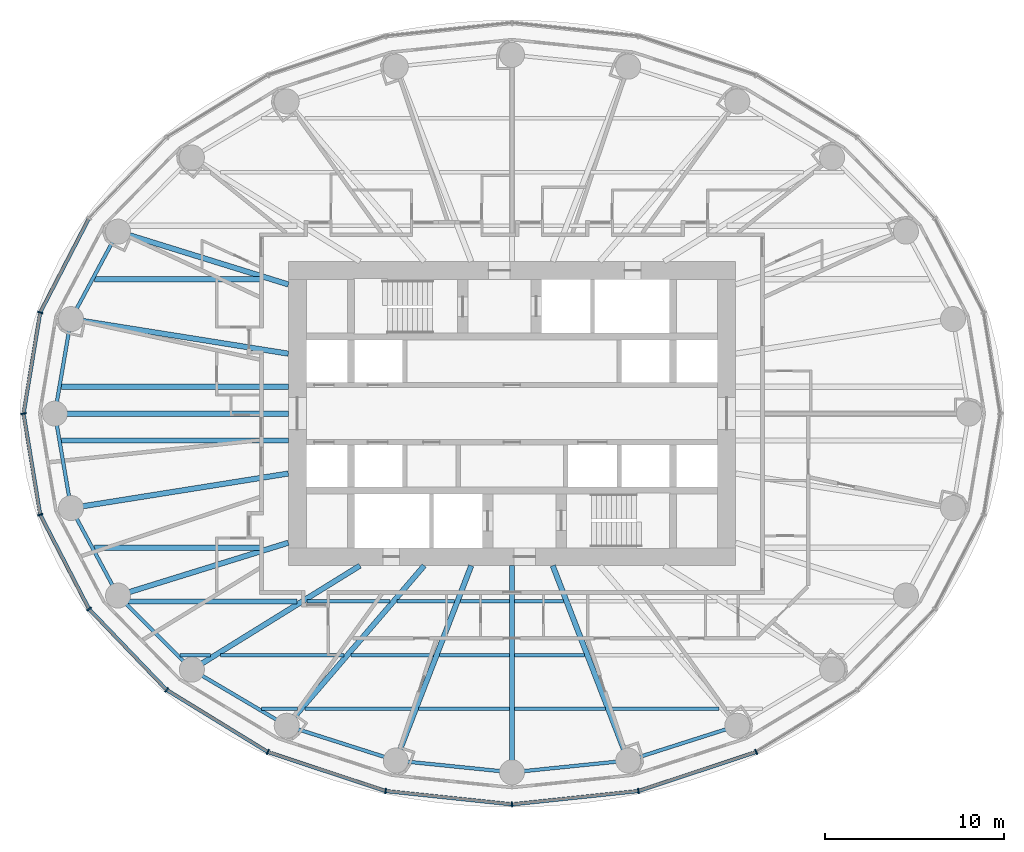
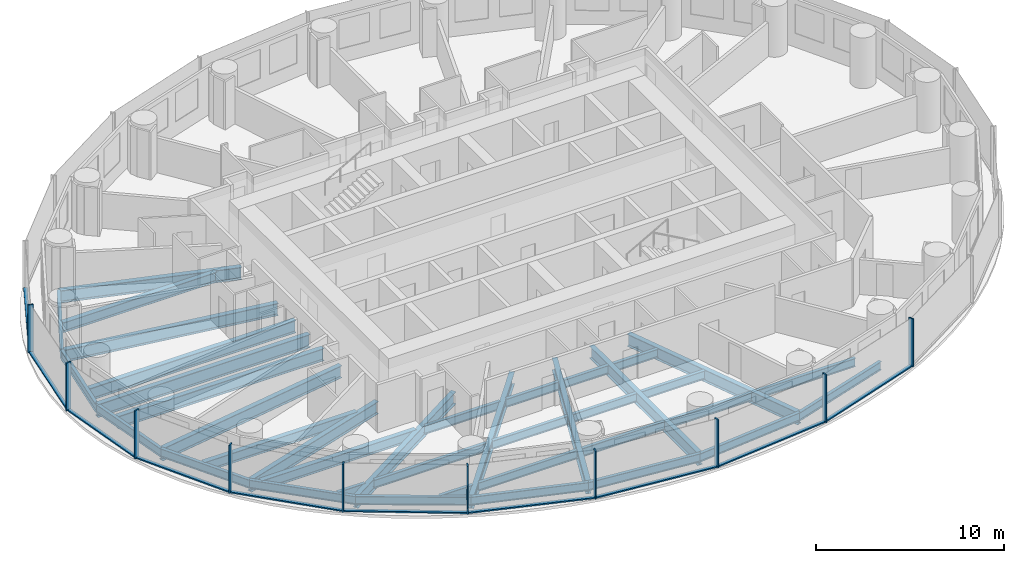
# One storey, part 2 of 14: 39 beams, 20 members, 3 elements without a shape of their own.
"""IFC4 building model written with IfcOpenShell, lengths in metres."""

from ifc_helpers import new_model, si_unit, direction, frame, origin, origin_2d, place, context, subcontext, project, spatial, rectangle, i_section, extrude, material, material_profile, profile_set, type_object, element, aggregate, save


model = new_model("IFC4")

# Units and contexts
model_context = context("Model", 3, precision=1e-05, world=origin(), true_north=direction((0.0, 1.0)))
body_context = subcontext(model_context, "Body", "Model", "MODEL_VIEW")
ifc_project = project(units=[si_unit("LENGTHUNIT", "METRE"), si_unit("AREAUNIT", "SQUARE_METRE"), si_unit("VOLUMEUNIT", "CUBIC_METRE"), si_unit("PLANEANGLEUNIT", "RADIAN"), si_unit("MASSUNIT", "GRAM", prefix="KILO")], contexts=[model_context])

# Site, building, storey
site_placement = place(None, origin())
site = spatial("IfcSite", under=ifc_project, at=site_placement, CompositionType="ELEMENT")
building_placement = place(site_placement, origin())
building = spatial("IfcBuilding", under=site, at=building_placement, Name="Hankou Lantern Tower", CompositionType="ELEMENT")
storey_placement = place(building_placement, frame((0.0, 0.0, 87.0)))
storey = spatial("IfcBuildingStorey", under=building, at=storey_placement, Name="L22", CompositionType="ELEMENT", Elevation=87.0)

# Beams
ifc_material_1 = material(Name="Steel Q355B", Category="steel")
ifc_material_profile_1 = material_profile(ifc_material_1, i_section(OverallWidth=0.199951171875, OverallDepth=0.550048828125, WebThickness=0.010009765625, FlangeThickness=0.01611328125, FilletRadius=0.012939453125, at=origin_2d()), Name="HN550x200x10x16")
ifc_profile_set_1 = profile_set([ifc_material_profile_1], Name="Steel Q355B")
beam_type_1 = type_object("IfcBeamType", Name="EB6 RING BEAM HN550x200x10x16", PredefinedType="SPANDREL", material=ifc_profile_set_1)
beam_1_placement = place(storey_placement, frame((-22.01904296875, 10.170166015625, -0.455078125), z_axis=(-0.473609096023, -0.880735161194, 0.0), x_axis=(0.880735161194, -0.473609096023, 0.0)))
element("IfcBeam", 1, at=beam_1_placement, inside=storey, type_object=beam_type_1, Name="Ring beam R11-R12 L22", PredefinedType="SPANDREL", context=body_context, shape_type="SweptSolid", body=[
    extrude(i_section(OverallWidth=0.199951171875, OverallDepth=0.550048828125, WebThickness=0.010009765625, FlangeThickness=0.01611328125, FilletRadius=0.012939453125, at=origin_2d()), origin(), (0.0, 0.0, 1.0), 5.548828125),
])
for number, where, z_axis, x_axis, name in (
    (2, (-24.64697265625, 5.283203125, -0.455078125), (-0.168489691988, -0.985703415685, 0.0), (0.985703415685, -0.168489691988, 0.0), "Ring beam R12-R13 L22"),
    (3, (-25.550048828125, 0.0, -0.455078125), (0.168489691988, -0.985703415685, 0.0), (0.985703415685, 0.168489691988, 0.0), "Ring beam R13-R14 L22"),
):
    element("IfcBeam", number, at=place(storey_placement, frame(where, z_axis=z_axis, x_axis=x_axis)), inside=storey, type_object=beam_type_1, Name=name, PredefinedType="SPANDREL", context=body_context, shape_type="SweptSolid", body=[
        extrude(i_section(OverallWidth=0.199951171875, OverallDepth=0.550048828125, WebThickness=0.010009765625, FlangeThickness=0.01611328125, FilletRadius=0.012939453125, at=origin_2d()), origin(), (0.0, 0.0, 1.0), 5.35986328125),
    ])
beam_2_placement = place(storey_placement, frame((-24.64697265625, -5.283203125, -0.455078125), z_axis=(0.473609096023, -0.880735161194, 0.0), x_axis=(0.880735161194, 0.473609096023, 0.0)))
element("IfcBeam", 4, at=beam_2_placement, inside=storey, type_object=beam_type_1, Name="Ring beam R14-R15 L22", PredefinedType="SPANDREL", context=body_context, shape_type="SweptSolid", body=[
    extrude(i_section(OverallWidth=0.199951171875, OverallDepth=0.550048828125, WebThickness=0.010009765625, FlangeThickness=0.01611328125, FilletRadius=0.012939453125, at=origin_2d()), origin(), (0.0, 0.0, 1.0), 5.548828125),
])
beam_3_placement = place(storey_placement, frame((-22.01904296875, -10.170166015625, -0.455078125), z_axis=(0.705727798394, -0.708483079949, 0.0), x_axis=(0.708483079949, 0.705727798394, 0.0)))
element("IfcBeam", 5, at=beam_3_placement, inside=storey, type_object=beam_type_1, Name="Ring beam R15-R16 L22", PredefinedType="SPANDREL", context=body_context, shape_type="SweptSolid", body=[
    extrude(i_section(OverallWidth=0.199951171875, OverallDepth=0.550048828125, WebThickness=0.010009765625, FlangeThickness=0.01611328125, FilletRadius=0.012939453125, at=origin_2d()), origin(), (0.0, 0.0, 1.0), 5.84814453125),
])
beam_4_placement = place(storey_placement, frame((-17.891845703125, -14.3134765625, -0.455078125), z_axis=(0.860881533543, -0.508805449268, 0.0), x_axis=(0.508805449268, 0.860881533543, 0.0)))
element("IfcBeam", 6, at=beam_4_placement, inside=storey, type_object=beam_type_1, Name="Ring beam R16-R17 L22", PredefinedType="SPANDREL", context=body_context, shape_type="SweptSolid", body=[
    extrude(i_section(OverallWidth=0.199951171875, OverallDepth=0.550048828125, WebThickness=0.010009765625, FlangeThickness=0.01611328125, FilletRadius=0.012939453125, at=origin_2d()), origin(), (0.0, 0.0, 1.0), 6.15771484375),
])
beam_5_placement = place(storey_placement, frame((-12.5908203125, -17.446533203125, -0.455078125), z_axis=(0.952690479428, -0.303942182671, 0.0), x_axis=(0.303942182671, 0.952690479428, 0.0)))
element("IfcBeam", 7, at=beam_5_placement, inside=storey, type_object=beam_type_1, Name="Ring beam R17-R18 L22", PredefinedType="SPANDREL", context=body_context, shape_type="SweptSolid", body=[
    extrude(i_section(OverallWidth=0.199951171875, OverallDepth=0.550048828125, WebThickness=0.010009765625, FlangeThickness=0.01611328125, FilletRadius=0.012939453125, at=origin_2d()), origin(), (0.0, 0.0, 1.0), 6.398681640625),
])
for number, where, z_axis, x_axis, name in (
    (8, (-6.494873046875, -19.391357421875, -0.455078125), (0.994896616842, -0.100899562915, 0.0), (0.100899562915, 0.994896616842, 0.0), "Ring beam R18-R19 L22"),
    (9, (0.0, -20.050048828125, -0.455078125), (0.994896616842, 0.100899562915, 0.0), (-0.100899562915, 0.994896616842, 0.0), "Ring beam R19-R20 L22"),
):
    element("IfcBeam", number, at=place(storey_placement, frame(where, z_axis=z_axis, x_axis=x_axis)), inside=storey, type_object=beam_type_1, Name=name, PredefinedType="SPANDREL", context=body_context, shape_type="SweptSolid", body=[
        extrude(i_section(OverallWidth=0.199951171875, OverallDepth=0.550048828125, WebThickness=0.010009765625, FlangeThickness=0.01611328125, FilletRadius=0.012939453125, at=origin_2d()), origin(), (0.0, 0.0, 1.0), 6.528076171875),
    ])
beam_6_placement = place(storey_placement, frame((6.494873046875, -19.391357421875, -0.455078125), z_axis=(0.952690479428, 0.303942182671, 0.0), x_axis=(-0.303942182671, 0.952690479428, 0.0)))
element("IfcBeam", 10, at=beam_6_placement, inside=storey, type_object=beam_type_1, Name="Ring beam R20-R21 L22", PredefinedType="SPANDREL", context=body_context, shape_type="SweptSolid", body=[
    extrude(i_section(OverallWidth=0.199951171875, OverallDepth=0.550048828125, WebThickness=0.010009765625, FlangeThickness=0.01611328125, FilletRadius=0.012939453125, at=origin_2d()), origin(), (0.0, 0.0, 1.0), 6.398681640625),
])

# Curtain wall, member
ifc_material_2 = material(Name="Glass, dark grey tinted laminated", Category="glass")
curtain_wall_type = type_object("IfcCurtainWallType", Name="CWA OUTER SKIN LOW-RISE", PredefinedType="USERDEFINED", material=ifc_material_2)
curtain_wall_1_placement = place(storey_placement, origin())
curtain_wall_1 = element("IfcCurtainWall", 11, at=curtain_wall_1_placement, inside=storey, type_object=curtain_wall_type, Name="CWA L22 OS2", ObjectType="OUTER SKIN LOW-RISE", PredefinedType="USERDEFINED")
ifc_material_3 = material(Name="Aluminium, black anodised", Category="aluminium")
ifc_material_profile_2 = material_profile(ifc_material_3, rectangle(XDim=0.080078125, YDim=0.300048828125, at=origin_2d()), Name="MU1 80X300")
ifc_profile_set_2 = profile_set([ifc_material_profile_2], Name="Aluminium, black anodised")
member_type_1 = type_object("IfcMemberType", Name="MU1 OUTER SKIN MULLION 80X300", PredefinedType="MULLION", material=ifc_profile_set_2)
member_1_placement = place(storey_placement, frame((-26.369873046875, 5.652587890625, 0.0), z_axis=(0.0, 0.0, 1.0), x_axis=(-0.317595577365, -0.94822626479, 0.0)))
member_1 = element("IfcMember", 12, at=member_1_placement, type_object=member_type_1, Name="CWA mullion 6", PredefinedType="MULLION", context=body_context, shape_type="SweptSolid", body=[
    extrude(rectangle(XDim=0.080078125, YDim=0.300048828125, at=origin_2d()), origin(), (0.0, 0.0, 1.0), 3.1201171875),
])

# Curtain wall, members
curtain_wall_2_placement = place(storey_placement, origin())
curtain_wall_2 = element("IfcCurtainWall", 13, at=curtain_wall_2_placement, inside=storey, type_object=curtain_wall_type, Name="CWA L22 OS3", ObjectType="OUTER SKIN LOW-RISE", PredefinedType="USERDEFINED")
member_2_placement = place(storey_placement, frame((-27.300048828125, 0.0, 0.0), z_axis=(0.0, 0.0, 1.0), x_axis=(0.162381515188, -0.986728049427, 0.0)))
member_2 = element("IfcMember", 14, at=member_2_placement, type_object=member_type_1, Name="CWA mullion 1", PredefinedType="MULLION", context=body_context, shape_type="SweptSolid", body=[
    extrude(rectangle(XDim=0.080078125, YDim=0.300048828125, at=origin_2d()), origin(), (0.0, 0.0, 1.0), 3.1201171875),
])
member_3_placement = place(storey_placement, frame((-26.369873046875, -5.652587890625, 0.0), z_axis=(0.0, 0.0, 1.0), x_axis=(0.317595577365, -0.94822626479, 0.0)))
member_3 = element("IfcMember", 15, at=member_3_placement, type_object=member_type_1, Name="CWA mullion 2", PredefinedType="MULLION", context=body_context, shape_type="SweptSolid", body=[
    extrude(rectangle(XDim=0.080078125, YDim=0.300048828125, at=origin_2d()), origin(), (0.0, 0.0, 1.0), 3.1201171875),
])
member_4_placement = place(storey_placement, frame((-23.642578125, -10.919921875, 0.0), z_axis=(0.0, 0.0, 1.0), x_axis=(0.585205735974, -0.810884854084, 0.0)))
member_4 = element("IfcMember", 16, at=member_4_placement, type_object=member_type_1, Name="CWA mullion 3", PredefinedType="MULLION", context=body_context, shape_type="SweptSolid", body=[
    extrude(rectangle(XDim=0.080078125, YDim=0.300048828125, at=origin_2d()), origin(), (0.0, 0.0, 1.0), 3.1201171875),
])
member_5_placement = place(storey_placement, frame((-19.303955078125, -15.443115234375, 0.0), z_axis=(0.0, 0.0, 1.0), x_axis=(0.780868809444, -0.624695047553, 0.0)))
member_5 = element("IfcMember", 17, at=member_5_placement, type_object=member_type_1, Name="CWA mullion 4", PredefinedType="MULLION", context=body_context, shape_type="SweptSolid", body=[
    extrude(rectangle(XDim=0.080078125, YDim=0.300048828125, at=origin_2d()), origin(), (0.0, 0.0, 1.0), 3.1201171875),
])
member_6_placement = place(storey_placement, frame((-13.64990234375, -18.9140625, 0.0), z_axis=(0.0, 0.0, 1.0), x_axis=(0.907841299004, -0.419313934686, 0.0)))
member_6 = element("IfcMember", 18, at=member_6_placement, type_object=member_type_1, Name="CWA mullion 5", PredefinedType="MULLION", context=body_context, shape_type="SweptSolid", body=[
    extrude(rectangle(XDim=0.080078125, YDim=0.300048828125, at=origin_2d()), origin(), (0.0, 0.0, 1.0), 3.1201171875),
])
member_7_placement = place(storey_placement, frame((-7.065673828125, -21.095703125, 0.0), z_axis=(0.0, 0.0, 1.0), x_axis=(0.977787659625, -0.209597931016, 0.0)))
member_7 = element("IfcMember", 19, at=member_7_placement, type_object=member_type_1, Name="CWA mullion 6", PredefinedType="MULLION", context=body_context, shape_type="SweptSolid", body=[
    extrude(rectangle(XDim=0.080078125, YDim=0.300048828125, at=origin_2d()), origin(), (0.0, 0.0, 1.0), 3.1201171875),
])

curtain_wall_3_placement = place(storey_placement, origin())
curtain_wall_3 = element("IfcCurtainWall", 20, at=curtain_wall_3_placement, inside=storey, type_object=curtain_wall_type, Name="CWA L22 OS4", ObjectType="OUTER SKIN LOW-RISE", PredefinedType="USERDEFINED")
member_8_placement = place(storey_placement, frame((0.0, -21.840087890625, 0.0), z_axis=(0.0, 0.0, 1.0), x_axis=(0.994499359107, 0.104742659579, 0.0)))
member_8 = element("IfcMember", 21, at=member_8_placement, type_object=member_type_1, Name="CWA mullion 1", PredefinedType="MULLION", context=body_context, shape_type="SweptSolid", body=[
    extrude(rectangle(XDim=0.080078125, YDim=0.300048828125, at=origin_2d()), origin(), (0.0, 0.0, 1.0), 3.1201171875),
])
member_9_placement = place(storey_placement, frame((7.065673828125, -21.095703125, 0.0), z_axis=(0.0, 0.0, 1.0), x_axis=(0.977787659625, 0.209597931016, 0.0)))
member_9 = element("IfcMember", 22, at=member_9_placement, type_object=member_type_1, Name="CWA mullion 2", PredefinedType="MULLION", context=body_context, shape_type="SweptSolid", body=[
    extrude(rectangle(XDim=0.080078125, YDim=0.300048828125, at=origin_2d()), origin(), (0.0, 0.0, 1.0), 3.1201171875),
])
member_10_placement = place(storey_placement, frame((13.64990234375, -18.9140625, 0.0), z_axis=(0.0, 0.0, 1.0), x_axis=(0.907841299004, 0.419313934686, 0.0)))
member_10 = element("IfcMember", 23, at=member_10_placement, type_object=member_type_1, Name="CWA mullion 3", PredefinedType="MULLION", context=body_context, shape_type="SweptSolid", body=[
    extrude(rectangle(XDim=0.080078125, YDim=0.300048828125, at=origin_2d()), origin(), (0.0, 0.0, 1.0), 3.1201171875),
])

# Beams
ifc_material_4 = material(Name="Steel Q355B", Category="steel")
ifc_material_profile_3 = material_profile(ifc_material_4, i_section(OverallWidth=0.300048828125, OverallDepth=0.800048828125, WebThickness=0.013916015625, FlangeThickness=0.02587890625, FilletRadius=0.01806640625, at=origin_2d()), Name="HN800x300x14x26")
ifc_profile_set_3 = profile_set([ifc_material_profile_3], Name="Steel Q355B")
beam_type_2 = type_object("IfcBeamType", Name="RB11 RADIAL BEAM HN800x300x14x26", PredefinedType="BEAM", material=ifc_profile_set_3)
beam_7_placement = place(storey_placement, frame((-12.5, 7.216796875, -0.580078125), z_axis=(-0.955087327755, 0.29632447817, 0.0), x_axis=(-0.29632447817, -0.955087327755, 0.0)))
element("IfcBeam", 24, at=beam_7_placement, inside=storey, type_object=beam_type_2, Name="Radial beam R11 L22", PredefinedType="BEAM", context=body_context, shape_type="SweptSolid", body=[
    extrude(i_section(OverallWidth=0.300048828125, OverallDepth=0.800048828125, WebThickness=0.013916015625, FlangeThickness=0.02587890625, FilletRadius=0.01806640625, at=origin_2d()), origin(), (0.0, 0.0, 1.0), 9.966552734375),
])
for number, where, z_axis, x_axis, name in (
    (25, (-12.5, 3.349365234375, -0.580078125), (-0.987563081343, 0.157223281893, 0.0), (-0.157223281893, -0.987563081343, 0.0), "Radial beam R12 L22"),
    (26, (-12.5, -3.349365234375, -0.580078125), (-0.987563081343, -0.157223281893, 0.0), (0.157223281893, -0.987563081343, 0.0), "Radial beam R14 L22"),
):
    element("IfcBeam", number, at=place(storey_placement, frame(where, z_axis=z_axis, x_axis=x_axis)), inside=storey, type_object=beam_type_2, Name=name, PredefinedType="BEAM", context=body_context, shape_type="SweptSolid", body=[
        extrude(i_section(OverallWidth=0.300048828125, OverallDepth=0.800048828125, WebThickness=0.013916015625, FlangeThickness=0.02587890625, FilletRadius=0.01806640625, at=origin_2d()), origin(), (0.0, 0.0, 1.0), 12.300048828125),
    ])
beam_8_placement = place(storey_placement, frame((-12.5, -7.216796875, -0.580078125), z_axis=(-0.955087327755, -0.29632447817, 0.0), x_axis=(0.29632447817, -0.955087327755, 0.0)))
element("IfcBeam", 27, at=beam_8_placement, inside=storey, type_object=beam_type_2, Name="Radial beam R15 L22", PredefinedType="BEAM", context=body_context, shape_type="SweptSolid", body=[
    extrude(i_section(OverallWidth=0.300048828125, OverallDepth=0.800048828125, WebThickness=0.013916015625, FlangeThickness=0.02587890625, FilletRadius=0.01806640625, at=origin_2d()), origin(), (0.0, 0.0, 1.0), 9.966552734375),
])
beam_9_placement = place(storey_placement, frame((-8.5, -8.5, -0.580078125), z_axis=(-0.850286343288, -0.526320372414, 0.0), x_axis=(0.526320372414, -0.850286343288, 0.0)))
element("IfcBeam", 28, at=beam_9_placement, inside=storey, type_object=beam_type_2, Name="Radial beam R16 L22", PredefinedType="BEAM", context=body_context, shape_type="SweptSolid", body=[
    extrude(i_section(OverallWidth=0.300048828125, OverallDepth=0.800048828125, WebThickness=0.013916015625, FlangeThickness=0.02587890625, FilletRadius=0.01806640625, at=origin_2d()), origin(), (0.0, 0.0, 1.0), 11.04541015625),
])
beam_10_placement = place(storey_placement, frame((-4.907470703125, -8.5, -0.580078125), z_axis=(-0.651519061225, -0.758632264579, 0.0), x_axis=(0.758632264579, -0.651519061225, 0.0)))
element("IfcBeam", 29, at=beam_10_placement, inside=storey, type_object=beam_type_2, Name="Radial beam R17 L22", PredefinedType="BEAM", context=body_context, shape_type="SweptSolid", body=[
    extrude(i_section(OverallWidth=0.300048828125, OverallDepth=0.800048828125, WebThickness=0.013916015625, FlangeThickness=0.02587890625, FilletRadius=0.01806640625, at=origin_2d()), origin(), (0.0, 0.0, 1.0), 11.79296875),
])
beam_11_placement = place(storey_placement, frame((-2.277587890625, -8.5, -0.580078125), z_axis=(-0.361089103374, -0.932531318201, 0.0), x_axis=(0.932531318201, -0.361089103374, 0.0)))
element("IfcBeam", 30, at=beam_11_placement, inside=storey, type_object=beam_type_2, Name="Radial beam R18 L22", PredefinedType="BEAM", context=body_context, shape_type="SweptSolid", body=[
    extrude(i_section(OverallWidth=0.300048828125, OverallDepth=0.800048828125, WebThickness=0.013916015625, FlangeThickness=0.02587890625, FilletRadius=0.01806640625, at=origin_2d()), origin(), (0.0, 0.0, 1.0), 11.679443359375),
])
beam_12_placement = place(storey_placement, frame((0.0, -8.5, -0.580078125), z_axis=(0.0, -1.0, 0.0), x_axis=(1.0, 0.0, 0.0)))
element("IfcBeam", 31, at=beam_12_placement, inside=storey, type_object=beam_type_2, Name="Radial beam R19 L22", PredefinedType="BEAM", context=body_context, shape_type="SweptSolid", body=[
    extrude(i_section(OverallWidth=0.300048828125, OverallDepth=0.800048828125, WebThickness=0.013916015625, FlangeThickness=0.02587890625, FilletRadius=0.01806640625, at=origin_2d()), origin(), (0.0, 0.0, 1.0), 11.550048828125),
])
beam_13_placement = place(storey_placement, frame((2.277587890625, -8.5, -0.580078125), z_axis=(0.361089103374, -0.932531318201, 0.0), x_axis=(0.932531318201, 0.361089103374, 0.0)))
element("IfcBeam", 32, at=beam_13_placement, inside=storey, type_object=beam_type_2, Name="Radial beam R20 L22", PredefinedType="BEAM", context=body_context, shape_type="SweptSolid", body=[
    extrude(i_section(OverallWidth=0.300048828125, OverallDepth=0.800048828125, WebThickness=0.013916015625, FlangeThickness=0.02587890625, FilletRadius=0.01806640625, at=origin_2d()), origin(), (0.0, 0.0, 1.0), 11.679443359375),
])
ifc_material_5 = material(Name="Steel Q355B", Category="steel")
ifc_material_profile_4 = material_profile(ifc_material_5, i_section(OverallWidth=0.300048828125, OverallDepth=0.85009765625, WebThickness=0.01611328125, FlangeThickness=0.027099609375, FilletRadius=0.01806640625, at=origin_2d()), Name="HN850x300x16x27")
ifc_profile_set_4 = profile_set([ifc_material_profile_4], Name="Steel Q355B")
beam_type_3 = type_object("IfcBeamType", Name="RB12 RADIAL BEAM HN850x300x16x27", PredefinedType="BEAM", material=ifc_profile_set_4)
beam_14_placement = place(storey_placement, frame((-12.5, 0.0, -0.60498046875), z_axis=(-1.0, 0.0, 0.0), x_axis=(0.0, -1.0, 0.0)))
element("IfcBeam", 33, at=beam_14_placement, inside=storey, type_object=beam_type_3, Name="Radial beam R13 L22", PredefinedType="BEAM", context=body_context, shape_type="SweptSolid", body=[
    extrude(i_section(OverallWidth=0.300048828125, OverallDepth=0.85009765625, WebThickness=0.01611328125, FlangeThickness=0.027099609375, FilletRadius=0.01806640625, at=origin_2d()), origin(), (0.0, 0.0, 1.0), 13.050048828125),
])
ifc_material_6 = material(Name="Steel Q355B", Category="steel")
ifc_material_profile_5 = material_profile(ifc_material_6, i_section(OverallWidth=0.300048828125, OverallDepth=0.800048828125, WebThickness=0.013916015625, FlangeThickness=0.02587890625, FilletRadius=0.01806640625, at=origin_2d()), Name="HN800x300x14x26")
ifc_profile_set_5 = profile_set([ifc_material_profile_5], Name="Steel Q355B")
beam_type_4 = type_object("IfcBeamType", Name="SB11 SECONDARY BEAM HN800x300x14x26", PredefinedType="JOIST", material=ifc_profile_set_5)
for number, where, z_axis, x_axis, name in (
    (34, (-25.192138671875, -1.5, -0.580078125), (1.0, 0.0, 0.0), (0.0, 1.0, 0.0), "Floor joist J029 L22"),
    (35, (-25.192138671875, 1.5, -0.580078125), (1.0, 0.0, 0.0), (0.0, 1.0, 0.0), "Floor joist J031 L22"),
):
    element("IfcBeam", number, at=place(storey_placement, frame(where, z_axis=z_axis, x_axis=x_axis)), inside=storey, type_object=beam_type_4, Name=name, PredefinedType="JOIST", context=body_context, shape_type="SweptSolid", body=[
        extrude(i_section(OverallWidth=0.300048828125, OverallDepth=0.800048828125, WebThickness=0.013916015625, FlangeThickness=0.02587890625, FilletRadius=0.01806640625, at=origin_2d()), origin(), (0.0, 0.0, 1.0), 12.692138671875),
    ])
ifc_material_7 = material(Name="Steel Q355B", Category="steel")
ifc_material_profile_6 = material_profile(ifc_material_7, i_section(OverallWidth=0.199951171875, OverallDepth=0.550048828125, WebThickness=0.010009765625, FlangeThickness=0.01611328125, FilletRadius=0.012939453125, at=origin_2d()), Name="HN550x200x10x16")
ifc_profile_set_6 = profile_set([ifc_material_profile_6], Name="Steel Q355B")
beam_type_5 = type_object("IfcBeamType", Name="SB6 SECONDARY BEAM HN550x200x10x16", PredefinedType="JOIST", material=ifc_profile_set_6)
beam_15_placement = place(storey_placement, frame((-13.99560546875, -16.5, -0.455078125), z_axis=(1.0, 0.0, 0.0), x_axis=(0.0, 1.0, 0.0)))
element("IfcBeam", 36, at=beam_15_placement, inside=storey, type_object=beam_type_5, Name="Floor joist J001 L22", PredefinedType="JOIST", context=body_context, shape_type="SweptSolid", body=[
    extrude(i_section(OverallWidth=0.199951171875, OverallDepth=0.550048828125, WebThickness=0.010009765625, FlangeThickness=0.01611328125, FilletRadius=0.012939453125, at=origin_2d()), origin(), (0.0, 0.0, 1.0), 2.019775390625),
])
beam_16_placement = place(storey_placement, frame((-11.580322265625, -16.5, -0.455078125), z_axis=(1.0, 0.0, 0.0), x_axis=(0.0, 1.0, 0.0)))
element("IfcBeam", 37, at=beam_16_placement, inside=storey, type_object=beam_type_5, Name="Floor joist J002 L22", PredefinedType="JOIST", context=body_context, shape_type="SweptSolid", body=[
    extrude(i_section(OverallWidth=0.199951171875, OverallDepth=0.550048828125, WebThickness=0.010009765625, FlangeThickness=0.01611328125, FilletRadius=0.012939453125, at=origin_2d()), origin(), (0.0, 0.0, 1.0), 6.044189453125),
])
for number, where, z_axis, x_axis, name in (
    (38, (-5.21435546875, -16.5, -0.455078125), (1.0, 0.0, 0.0), (0.0, 1.0, 0.0), "Floor joist J003 L22"),
    (39, (0.14990234375, -16.5, -0.455078125), (1.0, 0.0, 0.0), (0.0, 1.0, 0.0), "Floor joist J004 L22"),
):
    element("IfcBeam", number, at=place(storey_placement, frame(where, z_axis=z_axis, x_axis=x_axis)), inside=storey, type_object=beam_type_5, Name=name, PredefinedType="JOIST", context=body_context, shape_type="SweptSolid", body=[
        extrude(i_section(OverallWidth=0.199951171875, OverallDepth=0.550048828125, WebThickness=0.010009765625, FlangeThickness=0.01611328125, FilletRadius=0.012939453125, at=origin_2d()), origin(), (0.0, 0.0, 1.0), 5.064453125),
    ])
beam_17_placement = place(storey_placement, frame((5.5361328125, -16.5, -0.455078125), z_axis=(1.0, 0.0, 0.0), x_axis=(0.0, 1.0, 0.0)))
element("IfcBeam", 40, at=beam_17_placement, inside=storey, type_object=beam_type_5, Name="Floor joist J005 L22", PredefinedType="JOIST", context=body_context, shape_type="SweptSolid", body=[
    extrude(i_section(OverallWidth=0.199951171875, OverallDepth=0.550048828125, WebThickness=0.010009765625, FlangeThickness=0.01611328125, FilletRadius=0.012939453125, at=origin_2d()), origin(), (0.0, 0.0, 1.0), 6.044189453125),
])
beam_18_placement = place(storey_placement, frame((-18.560791015625, -13.5, -0.455078125), z_axis=(1.0, 0.0, 0.0), x_axis=(0.0, 1.0, 0.0)))
element("IfcBeam", 41, at=beam_18_placement, inside=storey, type_object=beam_type_5, Name="Floor joist J007 L22", PredefinedType="JOIST", context=body_context, shape_type="SweptSolid", body=[
    extrude(i_section(OverallWidth=0.199951171875, OverallDepth=0.550048828125, WebThickness=0.010009765625, FlangeThickness=0.01611328125, FilletRadius=0.012939453125, at=origin_2d()), origin(), (0.0, 0.0, 1.0), 1.697998046875),
])
beam_19_placement = place(storey_placement, frame((-16.292724609375, -13.5, -0.455078125), z_axis=(1.0, 0.0, 0.0), x_axis=(0.0, 1.0, 0.0)))
element("IfcBeam", 42, at=beam_19_placement, inside=storey, type_object=beam_type_5, Name="Floor joist J008 L22", PredefinedType="JOIST", context=body_context, shape_type="SweptSolid", body=[
    extrude(i_section(OverallWidth=0.199951171875, OverallDepth=0.550048828125, WebThickness=0.010009765625, FlangeThickness=0.01611328125, FilletRadius=0.012939453125, at=origin_2d()), origin(), (0.0, 0.0, 1.0), 6.893310546875),
])
beam_20_placement = place(storey_placement, frame((-9.00390625, -13.5, -0.455078125), z_axis=(1.0, 0.0, 0.0), x_axis=(0.0, 1.0, 0.0)))
element("IfcBeam", 43, at=beam_20_placement, inside=storey, type_object=beam_type_5, Name="Floor joist J009 L22", PredefinedType="JOIST", context=body_context, shape_type="SweptSolid", body=[
    extrude(i_section(OverallWidth=0.199951171875, OverallDepth=0.550048828125, WebThickness=0.010009765625, FlangeThickness=0.01611328125, FilletRadius=0.012939453125, at=origin_2d()), origin(), (0.0, 0.0, 1.0), 4.62939453125),
])
for number, where, z_axis, x_axis, name in (
    (44, (-4.052734375, -13.5, -0.455078125), (1.0, 0.0, 0.0), (0.0, 1.0, 0.0), "Floor joist J010 L22"),
    (45, (0.14990234375, -13.5, -0.455078125), (1.0, 0.0, 0.0), (0.0, 1.0, 0.0), "Floor joist J011 L22"),
):
    element("IfcBeam", number, at=place(storey_placement, frame(where, z_axis=z_axis, x_axis=x_axis)), inside=storey, type_object=beam_type_5, Name=name, PredefinedType="JOIST", context=body_context, shape_type="SweptSolid", body=[
        extrude(i_section(OverallWidth=0.199951171875, OverallDepth=0.550048828125, WebThickness=0.010009765625, FlangeThickness=0.01611328125, FilletRadius=0.012939453125, at=origin_2d()), origin(), (0.0, 0.0, 1.0), 3.90283203125),
    ])
beam_21_placement = place(storey_placement, frame((-11.446044921875, -10.5, -0.455078125), z_axis=(1.0, 0.0, 0.0), x_axis=(0.0, 1.0, 0.0)))
element("IfcBeam", 46, at=beam_21_placement, inside=storey, type_object=beam_type_5, Name="Floor joist J016 L22", PredefinedType="JOIST", context=body_context, shape_type="SweptSolid", body=[
    extrude(i_section(OverallWidth=0.199951171875, OverallDepth=0.550048828125, WebThickness=0.010009765625, FlangeThickness=0.01611328125, FilletRadius=0.012939453125, at=origin_2d()), origin(), (0.0, 0.0, 1.0), 4.623291015625),
])
beam_22_placement = place(storey_placement, frame((-6.427490234375, -10.5, -0.455078125), z_axis=(1.0, 0.0, 0.0), x_axis=(0.0, 1.0, 0.0)))
element("IfcBeam", 47, at=beam_22_placement, inside=storey, type_object=beam_type_5, Name="Floor joist J017 L22", PredefinedType="JOIST", context=body_context, shape_type="SweptSolid", body=[
    extrude(i_section(OverallWidth=0.199951171875, OverallDepth=0.550048828125, WebThickness=0.010009765625, FlangeThickness=0.01611328125, FilletRadius=0.012939453125, at=origin_2d()), origin(), (0.0, 0.0, 1.0), 3.214599609375),
])
for number, where, z_axis, x_axis, name in (
    (48, (-2.89111328125, -10.5, -0.455078125), (1.0, 0.0, 0.0), (0.0, 1.0, 0.0), "Floor joist J018 L22"),
    (49, (0.14990234375, -10.5, -0.455078125), (1.0, 0.0, 0.0), (0.0, 1.0, 0.0), "Floor joist J019 L22"),
):
    element("IfcBeam", number, at=place(storey_placement, frame(where, z_axis=z_axis, x_axis=x_axis)), inside=storey, type_object=beam_type_5, Name=name, PredefinedType="JOIST", context=body_context, shape_type="SweptSolid", body=[
        extrude(i_section(OverallWidth=0.199951171875, OverallDepth=0.550048828125, WebThickness=0.010009765625, FlangeThickness=0.01611328125, FilletRadius=0.012939453125, at=origin_2d()), origin(), (0.0, 0.0, 1.0), 2.7412109375),
    ])
ifc_material_8 = material(Name="Steel Q355B", Category="steel")
ifc_material_profile_7 = material_profile(ifc_material_8, i_section(OverallWidth=0.300048828125, OverallDepth=0.64990234375, WebThickness=0.010986328125, FlangeThickness=0.01708984375, FilletRadius=0.01806640625, at=origin_2d()), Name="HN650x300x11x17")
ifc_profile_set_7 = profile_set([ifc_material_profile_7], Name="Steel Q355B")
beam_type_6 = type_object("IfcBeamType", Name="SB8 SECONDARY BEAM HN650x300x11x17", PredefinedType="JOIST", material=ifc_profile_set_7)
beam_23_placement = place(storey_placement, frame((-21.54931640625, -10.5, -0.5048828125), z_axis=(1.0, 0.0, 0.0), x_axis=(0.0, 1.0, 0.0)))
element("IfcBeam", 50, at=beam_23_placement, inside=storey, type_object=beam_type_6, Name="Floor joist J015 L22", PredefinedType="JOIST", context=body_context, shape_type="SweptSolid", body=[
    extrude(i_section(OverallWidth=0.300048828125, OverallDepth=0.64990234375, WebThickness=0.010986328125, FlangeThickness=0.01708984375, FilletRadius=0.01806640625, at=origin_2d()), origin(), (0.0, 0.0, 1.0), 9.533203125),
])
for number, where, z_axis, x_axis, name in (
    (51, (-23.341552734375, -7.5, -0.5048828125), (1.0, 0.0, 0.0), (0.0, 1.0, 0.0), "Floor joist J023 L22"),
    (52, (-23.341552734375, 7.5, -0.5048828125), (1.0, 0.0, 0.0), (0.0, 1.0, 0.0), "Floor joist J037 L22"),
):
    element("IfcBeam", number, at=place(storey_placement, frame(where, z_axis=z_axis, x_axis=x_axis)), inside=storey, type_object=beam_type_6, Name=name, PredefinedType="JOIST", context=body_context, shape_type="SweptSolid", body=[
        extrude(i_section(OverallWidth=0.300048828125, OverallDepth=0.64990234375, WebThickness=0.010986328125, FlangeThickness=0.01708984375, FilletRadius=0.01806640625, at=origin_2d()), origin(), (0.0, 0.0, 1.0), 9.4228515625),
    ])

# Member
ifc_material_9 = material(Name="Aluminium, black anodised", Category="aluminium")
ifc_material_profile_8 = material_profile(ifc_material_9, rectangle(XDim=0.199951171875, YDim=0.080078125, at=origin_2d()), Name="TR1 200X80")
ifc_profile_set_8 = profile_set([ifc_material_profile_8], Name="Aluminium, black anodised")
member_type_2 = type_object("IfcMemberType", Name="TR1 OUTER SKIN TRANSOM 200X80", PredefinedType="USERDEFINED", material=ifc_profile_set_8)
member_11_placement = place(storey_placement, frame((-23.660888671875, 10.884521484375, 0.0400390625), z_axis=(-0.459786096495, -0.888029698529, 0.0), x_axis=(0.888029698529, -0.459786096495, 0.0)))
member_11 = element("IfcMember", 53, at=member_11_placement, type_object=member_type_2, Name="CWA transom 5", ObjectType="TRANSOM", PredefinedType="USERDEFINED", context=body_context, shape_type="SweptSolid", body=[
    extrude(rectangle(XDim=0.199951171875, YDim=0.080078125, at=origin_2d()), origin(), (0.0, 0.0, 1.0), 5.8515625),
])

member_12_placement = place(storey_placement, frame((-26.376220703125, 5.613037109375, 0.0400390625), z_axis=(-0.162387045529, -0.986727139307, 0.0), x_axis=(0.986727139307, -0.162387045529, 0.0)))
member_12 = element("IfcMember", 54, at=member_12_placement, type_object=member_type_2, Name="CWA transom 6", ObjectType="TRANSOM", PredefinedType="USERDEFINED", context=body_context, shape_type="SweptSolid", body=[
    extrude(rectangle(XDim=0.199951171875, YDim=0.080078125, at=origin_2d()), origin(), (0.0, 0.0, 1.0), 5.6484375),
])

aggregate(curtain_wall_1, [member_1, member_11, member_12])

member_13_placement = place(storey_placement, frame((-27.29345703125, -0.03955078125, 0.0400390625), z_axis=(0.162387045529, -0.986727139307, 0.0), x_axis=(0.986727139307, 0.162387045529, 0.0)))
member_13 = element("IfcMember", 55, at=member_13_placement, type_object=member_type_2, Name="CWA transom 1", ObjectType="TRANSOM", PredefinedType="USERDEFINED", context=body_context, shape_type="SweptSolid", body=[
    extrude(rectangle(XDim=0.199951171875, YDim=0.080078125, at=origin_2d()), origin(), (0.0, 0.0, 1.0), 5.6484375),
])

member_14_placement = place(storey_placement, frame((-26.351318359375, -5.688232421875, 0.0400390625), z_axis=(0.459786096495, -0.888029698529, 0.0), x_axis=(0.888029698529, 0.459786096495, 0.0)))
member_14 = element("IfcMember", 56, at=member_14_placement, type_object=member_type_2, Name="CWA transom 2", ObjectType="TRANSOM", PredefinedType="USERDEFINED", context=body_context, shape_type="SweptSolid", body=[
    extrude(rectangle(XDim=0.199951171875, YDim=0.080078125, at=origin_2d()), origin(), (0.0, 0.0, 1.0), 5.8515625),
])

member_15_placement = place(storey_placement, frame((-23.61474609375, -10.948974609375, 0.0400390625), z_axis=(0.692215537374, -0.721690827029, 0.0), x_axis=(0.721690827029, 0.692215537374, 0.0)))
member_15 = element("IfcMember", 57, at=member_15_placement, type_object=member_type_2, Name="CWA transom 3", ObjectType="TRANSOM", PredefinedType="USERDEFINED", context=body_context, shape_type="SweptSolid", body=[
    extrude(rectangle(XDim=0.199951171875, YDim=0.080078125, at=origin_2d()), origin(), (0.0, 0.0, 1.0), 6.187255859375),
])

member_16_placement = place(storey_placement, frame((-19.27001953125, -15.464111328125, 0.0400390625), z_axis=(0.85223969557, -0.523151508929, 0.0), x_axis=(0.523151508929, 0.85223969557, 0.0)))
member_16 = element("IfcMember", 58, at=member_16_placement, type_object=member_type_2, Name="CWA transom 4", ObjectType="TRANSOM", PredefinedType="USERDEFINED", context=body_context, shape_type="SweptSolid", body=[
    extrude(rectangle(XDim=0.199951171875, YDim=0.080078125, at=origin_2d()), origin(), (0.0, 0.0, 1.0), 6.554443359375),
])

member_17_placement = place(storey_placement, frame((-13.612060546875, -18.926513671875, 0.0400390625), z_axis=(0.949237318771, -0.314560825044, 0.0), x_axis=(0.314560825044, 0.949237318771, 0.0)))
member_17 = element("IfcMember", 59, at=member_17_placement, type_object=member_type_2, Name="CWA transom 5", ObjectType="TRANSOM", PredefinedType="USERDEFINED", context=body_context, shape_type="SweptSolid", body=[
    extrude(rectangle(XDim=0.199951171875, YDim=0.080078125, at=origin_2d()), origin(), (0.0, 0.0, 1.0), 6.8564453125),
])

member_18_placement = place(storey_placement, frame((-7.02587890625, -21.10009765625, 0.0400390625), z_axis=(0.994502215033, -0.104715539888, 0.0), x_axis=(0.104715539888, 0.994502215033, 0.0)))
member_18 = element("IfcMember", 60, at=member_18_placement, type_object=member_type_2, Name="CWA transom 6", ObjectType="TRANSOM", PredefinedType="USERDEFINED", context=body_context, shape_type="SweptSolid", body=[
    extrude(rectangle(XDim=0.199951171875, YDim=0.080078125, at=origin_2d()), origin(), (0.0, 0.0, 1.0), 7.024658203125),
])

aggregate(curtain_wall_2, [member_2, member_3, member_4, member_5, member_6, member_7, member_13, member_14, member_15, member_16, member_17, member_18])

member_19_placement = place(storey_placement, frame((0.039794921875, -21.835693359375, 0.0400390625), z_axis=(0.994502215033, 0.104715539888, 0.0), x_axis=(-0.104715539888, 0.994502215033, 0.0)))
member_19 = element("IfcMember", 61, at=member_19_placement, type_object=member_type_2, Name="CWA transom 1", ObjectType="TRANSOM", PredefinedType="USERDEFINED", context=body_context, shape_type="SweptSolid", body=[
    extrude(rectangle(XDim=0.199951171875, YDim=0.080078125, at=origin_2d()), origin(), (0.0, 0.0, 1.0), 7.024658203125),
])

member_20_placement = place(storey_placement, frame((7.103759765625, -21.083251953125, 0.0400390625), z_axis=(0.949237318771, 0.314560825044, 0.0), x_axis=(-0.314560825044, 0.949237318771, 0.0)))
member_20 = element("IfcMember", 62, at=member_20_placement, type_object=member_type_2, Name="CWA transom 2", ObjectType="TRANSOM", PredefinedType="USERDEFINED", context=body_context, shape_type="SweptSolid", body=[
    extrude(rectangle(XDim=0.199951171875, YDim=0.080078125, at=origin_2d()), origin(), (0.0, 0.0, 1.0), 6.8564453125),
])

aggregate(curtain_wall_3, [member_8, member_9, member_10, member_19, member_20])

save(model, "model.ifc")
